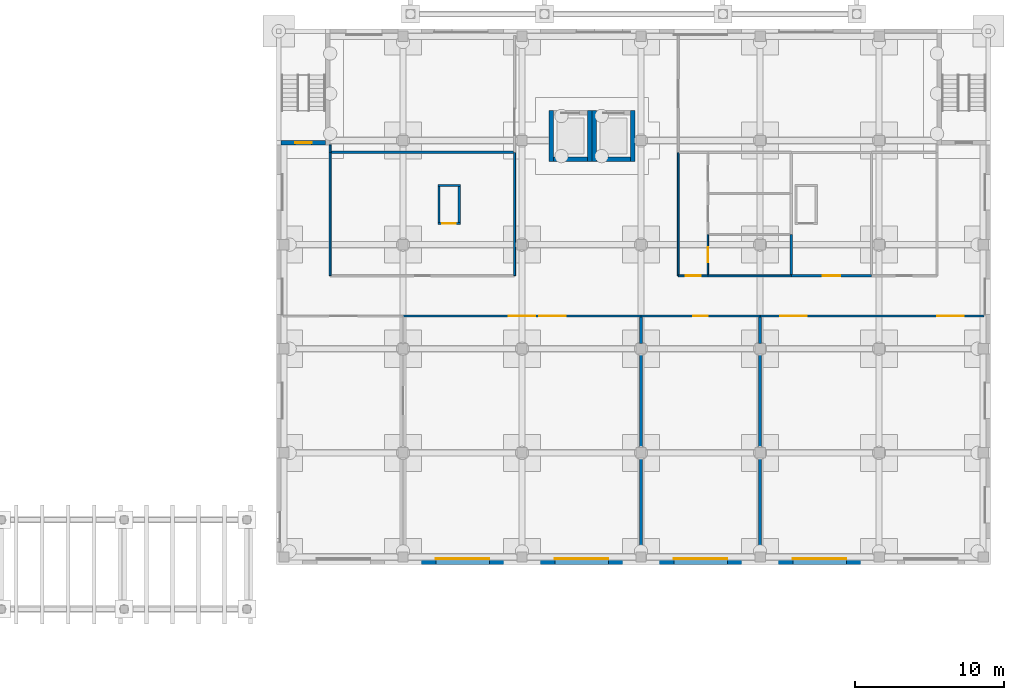
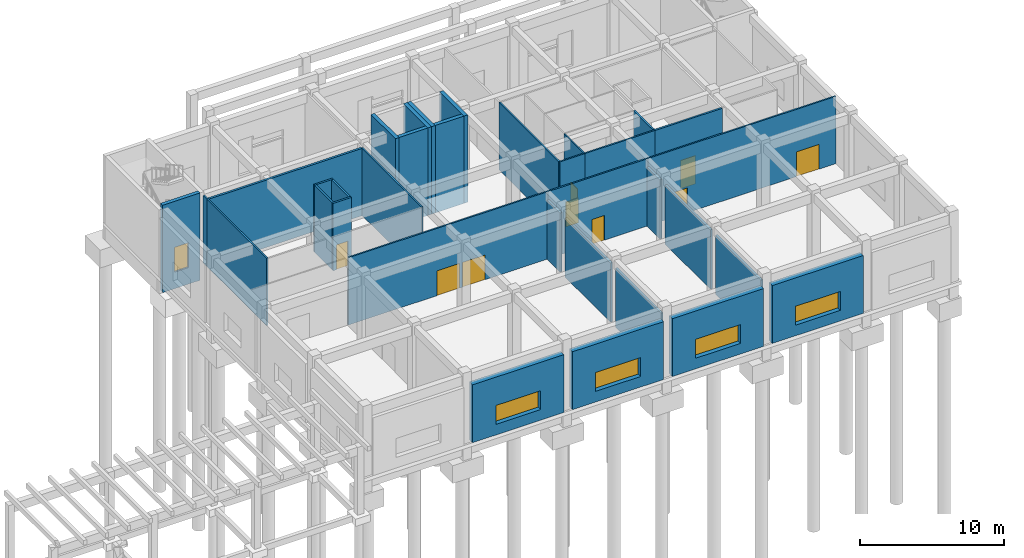
# One storey, part 41 of 51: 34 walls, 10 doors, 4 windows, 14 openings.
"""IFC4 building model written with IfcOpenShell, lengths in metres."""

from ifc_helpers import new_model, si_unit, direction, frame, frame_2d, origin, place, context, subcontext, project, spatial, rectangle, extrude, material, layer, layer_set, type_object, element, fill, save


model = new_model("IFC4")

# Units and contexts
model_context = context("Model", 3, precision=1e-05, world=origin(), true_north=direction((0.0, 1.0)))
body_context = subcontext(model_context, "Body", "Model", "MODEL_VIEW")
ifc_project = project(units=[si_unit("LENGTHUNIT", "METRE"), si_unit("AREAUNIT", "SQUARE_METRE"), si_unit("VOLUMEUNIT", "CUBIC_METRE"), si_unit("PLANEANGLEUNIT", "RADIAN"), si_unit("MASSUNIT", "GRAM", prefix="KILO")], contexts=[model_context])

# Site, building, storey
site_placement = place(None, origin())
site = spatial("IfcSite", under=ifc_project, at=site_placement, CompositionType="ELEMENT")
building_placement = place(site_placement, origin())
building = spatial("IfcBuilding", under=site, at=building_placement, Name="Elmora Arch Market Hall", CompositionType="ELEMENT")
storey_placement = place(building_placement, origin())
storey = spatial("IfcBuildingStorey", under=building, at=storey_placement, Name="L00", CompositionType="ELEMENT", Elevation=0.0)

# Wall, opening, door
ifc_material_1 = material(Name="Blockwork", Category="masonry")
ifc_layer_1 = layer(ifc_material_1, 0.14990234375)
ifc_layer_set_1 = layer_set([ifc_layer_1], Name="Blockwork")
wall_type_1 = type_object("IfcWallType", Name="Blockwork partition 150 EI 120", PredefinedType="PARTITIONING", material=ifc_layer_set_1)
wall_1_placement = place(storey_placement, frame((96.85009765625, 152.925048828125, 0.0), z_axis=(0.0, 0.0, 1.0), x_axis=(1.0, 0.0, 0.0)))
wall_1 = element("IfcWall", 1, at=wall_1_placement, inside=storey, type_object=wall_type_1, Name="Riser wall L00 35", PredefinedType="PARTITIONING", context=body_context, shape_type="SweptSolid", body=[
    extrude(rectangle(XDim=1.5, YDim=0.14990234375, at=frame_2d((0.75, 0.0))), origin(), (0.0, 0.0, 1.0), 5.699951171875),
])
opening_1_placement = place(wall_1_placement, frame((0.300048828125, 0.0, 0.0)))
opening_1 = element("IfcOpeningElement", 2, at=opening_1_placement, cuts=wall_1, Name="Opening D-L00-107", PredefinedType="OPENING", context=body_context, shape_type="SweptSolid", body=[
    extrude(rectangle(XDim=0.89990234375, YDim=2.10009765625, at=frame_2d((0.449951171875, 1.050048828125))), frame((0.0, 0.0849609375, 0.0), z_axis=(0.0, -1.0, 0.0), x_axis=(1.0, 0.0, 0.0)), (0.0, 0.0, 1.0), 0.169921875),
])
ifc_material_2 = material(Name="Steel ASTM A653 galvanised", Category="steel")
door_type_1 = type_object("IfcDoorType", Name="Door 900 x 2100 FD90", OperationType="SINGLE_SWING_LEFT", PredefinedType="DOOR", material=ifc_material_2)
door_1_placement = place(opening_1_placement, origin())
door_1 = element("IfcDoor", 3, at=door_1_placement, inside=storey, type_object=door_type_1, Name="Riser access door D-L00-107", OperationType="SINGLE_SWING_LEFT", OverallHeight=2.10009765625, OverallWidth=0.89990234375, PredefinedType="DOOR", context=body_context, shape_type="SweptSolid", body=[
    extrude(rectangle(XDim=0.89990234375, YDim=2.10009765625, at=frame_2d((0.449951171875, 1.050048828125))), frame((0.0, 0.02490234375, 0.0), z_axis=(0.0, -1.0, 0.0), x_axis=(1.0, 0.0, 0.0)), (0.0, 0.0, 1.0), 0.050048828125),
])
fill(opening_1, door_1)

# Walls
wall_2_placement = place(storey_placement, frame((96.925048828125, 153.0, 0.0), z_axis=(0.0, 0.0, 1.0), x_axis=(0.0, 1.0, 0.0)))
element("IfcWall", 4, at=wall_2_placement, inside=storey, type_object=wall_type_1, Name="Riser wall L00 36", PredefinedType="PARTITIONING", context=body_context, shape_type="SweptSolid", body=[
    extrude(rectangle(XDim=2.39990234375, YDim=0.14990234375, at=frame_2d((1.199951171875, 0.0))), origin(), (0.0, 0.0, 1.0), 5.699951171875),
])
wall_3_placement = place(storey_placement, frame((96.85009765625, 155.47509765625, 0.0), z_axis=(0.0, 0.0, 1.0), x_axis=(1.0, 0.0, 0.0)))
element("IfcWall", 5, at=wall_3_placement, inside=storey, type_object=wall_type_1, Name="Riser wall L00 37", PredefinedType="PARTITIONING", context=body_context, shape_type="SweptSolid", body=[
    extrude(rectangle(XDim=1.5, YDim=0.14990234375, at=frame_2d((0.75, 0.0))), origin(), (0.0, 0.0, 1.0), 5.699951171875),
])
wall_4_placement = place(storey_placement, frame((98.27490234375, 153.0, 0.0), z_axis=(0.0, 0.0, 1.0), x_axis=(0.0, 1.0, 0.0)))
element("IfcWall", 6, at=wall_4_placement, inside=storey, type_object=wall_type_1, Name="Riser wall L00 38", PredefinedType="PARTITIONING", context=body_context, shape_type="SweptSolid", body=[
    extrude(rectangle(XDim=2.39990234375, YDim=0.14990234375, at=frame_2d((1.199951171875, 0.0))), origin(), (0.0, 0.0, 1.0), 5.699951171875),
])

# Wall, opening, window
ifc_material_3 = material(Name="Concrete C40/50", Category="concrete")
ifc_layer_2 = layer(ifc_material_3, 0.449951171875)
ifc_layer_set_2 = layer_set([ifc_layer_2], Name="Concrete C40/50")
wall_type_2 = type_object("IfcWallType", Name="Board-marked concrete wall 450", PredefinedType="SOLIDWALL", material=ifc_layer_set_2)
wall_5_placement = place(storey_placement, frame((102.14990234375, 130.22509765625, 0.0), z_axis=(0.0, 0.0, 1.0), x_axis=(-1.0, 0.0, 0.0)))
wall_5 = element("IfcWall", 7, at=wall_5_placement, inside=storey, type_object=wall_type_2, Name="School facade wall S L00 2", PredefinedType="SOLIDWALL", context=body_context, shape_type="SweptSolid", body=[
    extrude(rectangle(XDim=7.2998046875, YDim=0.449951171875, at=frame_2d((3.64990234375, 0.0))), origin(), (0.0, 0.0, 1.0), 4.89990234375),
])
opening_2_placement = place(wall_5_placement, frame((1.85009765625, 0.0, 0.89990234375)))
opening_2 = element("IfcOpeningElement", 8, at=opening_2_placement, cuts=wall_5, Name="Opening WB1", PredefinedType="OPENING", context=body_context, shape_type="SweptSolid", body=[
    extrude(rectangle(XDim=3.60009765625, YDim=1.60009765625, at=frame_2d((1.800048828125, 0.800048828125))), frame((0.0, 0.23486328125, 0.0), z_axis=(0.0, -1.0, 0.0), x_axis=(1.0, 0.0, 0.0)), (0.0, 0.0, 1.0), 0.469970703125),
])
ifc_material_4 = material(Name="Aluminium", Category="aluminium")
window_type = type_object("IfcWindowType", Name="School band window 3600x1600", PartitioningType="SINGLE_PANEL", PredefinedType="WINDOW", material=ifc_material_4)
window_1_placement = place(opening_2_placement, origin())
window_1 = element("IfcWindow", 9, at=window_1_placement, inside=storey, type_object=window_type, Name="Window WB1 L00 S67", OverallHeight=1.60009765625, OverallWidth=3.60009765625, PartitioningType="SINGLE_PANEL", PredefinedType="WINDOW", context=body_context, shape_type="SweptSolid", body=[
    extrude(rectangle(XDim=3.60009765625, YDim=1.60009765625, at=frame_2d((1.800048828125, 0.800048828125))), frame((0.0, -0.125, 0.0), z_axis=(0.0, -1.0, 0.0), x_axis=(1.0, 0.0, 0.0)), (0.0, 0.0, 1.0), 0.06005859375),
])
fill(opening_2, window_1)

wall_6_placement = place(storey_placement, frame((110.14990234375, 130.22509765625, 0.0), z_axis=(0.0, 0.0, 1.0), x_axis=(-1.0, 0.0, 0.0)))
wall_6 = element("IfcWall", 10, at=wall_6_placement, inside=storey, type_object=wall_type_2, Name="School facade wall S L00 3", PredefinedType="SOLIDWALL", context=body_context, shape_type="SweptSolid", body=[
    extrude(rectangle(XDim=7.2998046875, YDim=0.449951171875, at=frame_2d((3.64990234375, 0.0))), origin(), (0.0, 0.0, 1.0), 4.89990234375),
])
opening_3_placement = place(wall_6_placement, frame((1.85009765625, 0.0, 0.89990234375)))
opening_3 = element("IfcOpeningElement", 11, at=opening_3_placement, cuts=wall_6, Name="Opening WB1", PredefinedType="OPENING", context=body_context, shape_type="SweptSolid", body=[
    extrude(rectangle(XDim=3.60009765625, YDim=1.60009765625, at=frame_2d((1.800048828125, 0.800048828125))), frame((0.0, 0.23486328125, 0.0), z_axis=(0.0, -1.0, 0.0), x_axis=(1.0, 0.0, 0.0)), (0.0, 0.0, 1.0), 0.469970703125),
])
window_2_placement = place(opening_3_placement, origin())
window_2 = element("IfcWindow", 12, at=window_2_placement, inside=storey, type_object=window_type, Name="Window WB1 L00 S68", OverallHeight=1.60009765625, OverallWidth=3.60009765625, PartitioningType="SINGLE_PANEL", PredefinedType="WINDOW", context=body_context, shape_type="SweptSolid", body=[
    extrude(rectangle(XDim=3.60009765625, YDim=1.60009765625, at=frame_2d((1.800048828125, 0.800048828125))), frame((0.0, -0.125, 0.0), z_axis=(0.0, -1.0, 0.0), x_axis=(1.0, 0.0, 0.0)), (0.0, 0.0, 1.0), 0.06005859375),
])
fill(opening_3, window_2)

wall_7_placement = place(storey_placement, frame((118.14990234375, 130.22509765625, 0.0), z_axis=(0.0, 0.0, 1.0), x_axis=(-1.0, 0.0, 0.0)))
wall_7 = element("IfcWall", 13, at=wall_7_placement, inside=storey, type_object=wall_type_2, Name="School facade wall S L00 4", PredefinedType="SOLIDWALL", context=body_context, shape_type="SweptSolid", body=[
    extrude(rectangle(XDim=7.2998046875, YDim=0.449951171875, at=frame_2d((3.64990234375, 0.0))), origin(), (0.0, 0.0, 1.0), 4.89990234375),
])
opening_4_placement = place(wall_7_placement, frame((1.85009765625, 0.0, 0.89990234375)))
opening_4 = element("IfcOpeningElement", 14, at=opening_4_placement, cuts=wall_7, Name="Opening WB1", PredefinedType="OPENING", context=body_context, shape_type="SweptSolid", body=[
    extrude(rectangle(XDim=3.60009765625, YDim=1.60009765625, at=frame_2d((1.800048828125, 0.800048828125))), frame((0.0, 0.23486328125, 0.0), z_axis=(0.0, -1.0, 0.0), x_axis=(1.0, 0.0, 0.0)), (0.0, 0.0, 1.0), 0.469970703125),
])
window_3_placement = place(opening_4_placement, origin())
window_3 = element("IfcWindow", 15, at=window_3_placement, inside=storey, type_object=window_type, Name="Window WB1 L00 S69", OverallHeight=1.60009765625, OverallWidth=3.60009765625, PartitioningType="SINGLE_PANEL", PredefinedType="WINDOW", context=body_context, shape_type="SweptSolid", body=[
    extrude(rectangle(XDim=3.60009765625, YDim=1.60009765625, at=frame_2d((1.800048828125, 0.800048828125))), frame((0.0, -0.125, 0.0), z_axis=(0.0, -1.0, 0.0), x_axis=(1.0, 0.0, 0.0)), (0.0, 0.0, 1.0), 0.06005859375),
])
fill(opening_4, window_3)

wall_8_placement = place(storey_placement, frame((126.14990234375, 130.22509765625, 0.0), z_axis=(0.0, 0.0, 1.0), x_axis=(-1.0, 0.0, 0.0)))
wall_8 = element("IfcWall", 16, at=wall_8_placement, inside=storey, type_object=wall_type_2, Name="School facade wall S L00 5", PredefinedType="SOLIDWALL", context=body_context, shape_type="SweptSolid", body=[
    extrude(rectangle(XDim=7.2998046875, YDim=0.449951171875, at=frame_2d((3.64990234375, 0.0))), origin(), (0.0, 0.0, 1.0), 4.89990234375),
])
opening_5_placement = place(wall_8_placement, frame((1.85009765625, 0.0, 0.89990234375)))
opening_5 = element("IfcOpeningElement", 17, at=opening_5_placement, cuts=wall_8, Name="Opening WB1", PredefinedType="OPENING", context=body_context, shape_type="SweptSolid", body=[
    extrude(rectangle(XDim=3.60009765625, YDim=1.60009765625, at=frame_2d((1.800048828125, 0.800048828125))), frame((0.0, 0.23486328125, 0.0), z_axis=(0.0, -1.0, 0.0), x_axis=(1.0, 0.0, 0.0)), (0.0, 0.0, 1.0), 0.469970703125),
])
window_4_placement = place(opening_5_placement, origin())
window_4 = element("IfcWindow", 18, at=window_4_placement, inside=storey, type_object=window_type, Name="Window WB1 L00 S70", OverallHeight=1.60009765625, OverallWidth=3.60009765625, PartitioningType="SINGLE_PANEL", PredefinedType="WINDOW", context=body_context, shape_type="SweptSolid", body=[
    extrude(rectangle(XDim=3.60009765625, YDim=1.60009765625, at=frame_2d((1.800048828125, 0.800048828125))), frame((0.0, -0.125, 0.0), z_axis=(0.0, -1.0, 0.0), x_axis=(1.0, 0.0, 0.0)), (0.0, 0.0, 1.0), 0.06005859375),
])
fill(opening_5, window_4)

# Wall, opening, door
ifc_material_5 = material(Name="Insulated metal panel")
ifc_layer_3 = layer(ifc_material_5, 0.14990234375)
ifc_layer_set_3 = layer_set([ifc_layer_3], Name="Insulated metal panel")
wall_type_3 = type_object("IfcWallType", Name="Cold store panel 150 EI 60", PredefinedType="PARTITIONING", material=ifc_layer_set_3)
wall_9_placement = place(storey_placement, frame((120.60009765625, 149.39990234375, 0.0), z_axis=(0.0, 0.0, 1.0), x_axis=(1.0, 0.0, 0.0)))
wall_9 = element("IfcWall", 19, at=wall_9_placement, inside=storey, type_object=wall_type_3, Name="Partition PT-L00-121", PredefinedType="PARTITIONING", context=body_context, shape_type="SweptSolid", body=[
    extrude(rectangle(XDim=5.39990234375, YDim=0.14990234375, at=frame_2d((2.699951171875, 0.0))), origin(), (0.0, 0.0, 1.0), 5.699951171875),
])
opening_6_placement = place(wall_9_placement, frame((2.10009765625, 0.0, 0.0)))
opening_6 = element("IfcOpeningElement", 20, at=opening_6_placement, cuts=wall_9, Name="Opening D-L00-104", PredefinedType="OPENING", context=body_context, shape_type="SweptSolid", body=[
    extrude(rectangle(XDim=1.199951171875, YDim=2.39990234375, at=frame_2d((0.60009765625, 1.199951171875))), frame((0.0, 0.0849609375, 0.0), z_axis=(0.0, -1.0, 0.0), x_axis=(1.0, 0.0, 0.0)), (0.0, 0.0, 1.0), 0.169921875),
])
ifc_material_6 = material(Name="Insulated door panel")
door_type_2 = type_object("IfcDoorType", Name="Cold store door 1200 x 2400 FD45", OperationType="SLIDING_TO_LEFT", PredefinedType="DOOR", material=ifc_material_6)
door_2_placement = place(opening_6_placement, origin())
door_2 = element("IfcDoor", 21, at=door_2_placement, inside=storey, type_object=door_type_2, Name="D-L00-104", OperationType="SLIDING_TO_LEFT", OverallHeight=2.39990234375, OverallWidth=1.199951171875, PredefinedType="DOOR", context=body_context, shape_type="SweptSolid", body=[
    extrude(rectangle(XDim=1.199951171875, YDim=2.39990234375, at=frame_2d((0.60009765625, 1.199951171875))), frame((0.0, 0.02490234375, 0.0), z_axis=(0.0, -1.0, 0.0), x_axis=(1.0, 0.0, 0.0)), (0.0, 0.0, 1.0), 0.050048828125),
])
fill(opening_6, door_2)

# Walls
wall_10_placement = place(storey_placement, frame((120.60009765625, 149.47509765625, 0.0), z_axis=(0.0, 0.0, 1.0), x_axis=(0.0, 1.0, 0.0)))
element("IfcWall", 22, at=wall_10_placement, inside=storey, type_object=wall_type_3, Name="Partition PT-L00-255", PredefinedType="PARTITIONING", context=body_context, shape_type="SweptSolid", body=[
    extrude(rectangle(XDim=2.691650390625, YDim=0.14990234375, at=frame_2d((1.345703125, 0.0))), origin(), (0.0, 0.0, 1.0), 5.699951171875),
])
ifc_material_7 = material(Name="Concrete C40/50", Category="concrete")
ifc_layer_4 = layer(ifc_material_7, 0.300048828125)
ifc_layer_set_4 = layer_set([ifc_layer_4], Name="Concrete C40/50")
wall_type_4 = type_object("IfcWallType", Name="Lift shaft wall 300", PredefinedType="SHEAR", material=ifc_layer_set_4)
for number, where, z_axis, x_axis, name in (
    (23, (104.449951171875, 157.10009765625, -1.39990234375), (0.0, 0.0, 1.0), (0.0, 1.0, 0.0), "Lift shaft wall SL1 W L00"),
    (24, (107.050048828125, 157.10009765625, -1.39990234375), (0.0, 0.0, 1.0), (0.0, 1.0, 0.0), "Lift shaft wall SL1 E L00"),
):
    element("IfcWall", number, at=place(storey_placement, frame(where, z_axis=z_axis, x_axis=x_axis)), inside=storey, type_object=wall_type_4, Name=name, PredefinedType="SHEAR", context=body_context, shape_type="SweptSolid", body=[
        extrude(rectangle(XDim=3.39990234375, YDim=0.300048828125, at=frame_2d((1.699951171875, 0.0))), origin(), (0.0, 0.0, 1.0), 7.39990234375),
    ])
wall_11_placement = place(storey_placement, frame((104.60009765625, 157.25, -1.39990234375), z_axis=(0.0, 0.0, 1.0), x_axis=(1.0, 0.0, 0.0)))
element("IfcWall", 25, at=wall_11_placement, inside=storey, type_object=wall_type_4, Name="Lift shaft wall SL1 S L00", PredefinedType="SHEAR", context=body_context, shape_type="SweptSolid", body=[
    extrude(rectangle(XDim=2.2998046875, YDim=0.300048828125, at=frame_2d((1.14990234375, 0.0))), origin(), (0.0, 0.0, 1.0), 7.39990234375),
])
for number, where, z_axis, x_axis, name in (
    (26, (107.35009765625, 157.10009765625, -1.39990234375), (0.0, 0.0, 1.0), (0.0, 1.0, 0.0), "Lift shaft wall SL2 W L00"),
    (27, (109.949951171875, 157.10009765625, -1.39990234375), (0.0, 0.0, 1.0), (0.0, 1.0, 0.0), "Lift shaft wall SL2 E L00"),
):
    element("IfcWall", number, at=place(storey_placement, frame(where, z_axis=z_axis, x_axis=x_axis)), inside=storey, type_object=wall_type_4, Name=name, PredefinedType="SHEAR", context=body_context, shape_type="SweptSolid", body=[
        extrude(rectangle(XDim=3.39990234375, YDim=0.300048828125, at=frame_2d((1.699951171875, 0.0))), origin(), (0.0, 0.0, 1.0), 7.39990234375),
    ])
wall_12_placement = place(storey_placement, frame((107.5, 157.25, -1.39990234375), z_axis=(0.0, 0.0, 1.0), x_axis=(1.0, 0.0, 0.0)))
element("IfcWall", 28, at=wall_12_placement, inside=storey, type_object=wall_type_4, Name="Lift shaft wall SL2 S L00", PredefinedType="SHEAR", context=body_context, shape_type="SweptSolid", body=[
    extrude(rectangle(XDim=2.300048828125, YDim=0.300048828125, at=frame_2d((1.14990234375, 0.0))), origin(), (0.0, 0.0, 1.0), 7.39990234375),
])

# Wall, opening, door
ifc_material_8 = material(Name="Gypsum board on metal studs")
ifc_layer_5 = layer(ifc_material_8, 0.10009765625)
ifc_layer_set_5 = layer_set([ifc_layer_5], Name="Gypsum board on metal studs")
wall_type_5 = type_object("IfcWallType", Name="Partition 100", PredefinedType="PARTITIONING", material=ifc_layer_set_5)
wall_13_placement = place(storey_placement, frame((115.0, 149.46240234375, 0.0), z_axis=(0.0, 0.0, 1.0), x_axis=(0.0, 1.0, 0.0)))
wall_13 = element("IfcWall", 29, at=wall_13_placement, inside=storey, type_object=wall_type_5, Name="Partition PT-L00-251", PredefinedType="PARTITIONING", context=body_context, shape_type="SweptSolid", body=[
    extrude(rectangle(XDim=2.704345703125, YDim=0.10009765625, at=frame_2d((1.35205078125, 0.0))), origin(), (0.0, 0.0, 1.0), 5.699951171875),
])
opening_7_placement = place(wall_13_placement, frame((0.85009765625, 0.0, 0.0)))
opening_7 = element("IfcOpeningElement", 30, at=opening_7_placement, cuts=wall_13, Name="Opening D-L00-106", PredefinedType="OPENING", context=body_context, shape_type="SweptSolid", body=[
    extrude(rectangle(XDim=1.0, YDim=2.10009765625, at=frame_2d((0.5, 1.050048828125))), frame((0.0, 0.06005859375, 0.0), z_axis=(0.0, -1.0, 0.0), x_axis=(1.0, 0.0, 0.0)), (0.0, 0.0, 1.0), 0.1201171875),
])
ifc_material_9 = material(Name="Timber door set", Category="wood")
door_type_3 = type_object("IfcDoorType", Name="Door 1000 x 2100", OperationType="SINGLE_SWING_LEFT", PredefinedType="DOOR", material=ifc_material_9)
door_3_placement = place(opening_7_placement, frame((1.0, 0.0, 0.0), z_axis=(0.0, 0.0, 1.0), x_axis=(-1.0, 0.0, 0.0)))
door_3 = element("IfcDoor", 31, at=door_3_placement, inside=storey, type_object=door_type_3, Name="D-L00-106", OperationType="SINGLE_SWING_LEFT", OverallHeight=2.10009765625, OverallWidth=1.0, PredefinedType="DOOR", context=body_context, shape_type="SweptSolid", body=[
    extrude(rectangle(XDim=1.0, YDim=2.10009765625, at=frame_2d((0.5, 1.050048828125))), frame((0.0, 0.02490234375, 0.0), z_axis=(0.0, -1.0, 0.0), x_axis=(1.0, 0.0, 0.0)), (0.0, 0.0, 1.0), 0.050048828125),
])
fill(opening_7, door_3)

# Wall, openings, doors
ifc_material_10 = material(Name="Gypsum board on metal studs")
ifc_layer_6 = layer(ifc_material_10, 0.125)
ifc_layer_set_6 = layer_set([ifc_layer_6], Name="Gypsum board on metal studs")
wall_type_6 = type_object("IfcWallType", Name="Partition 125 EI 60", PredefinedType="PARTITIONING", material=ifc_layer_set_6)
wall_14_placement = place(storey_placement, frame((94.5, 146.699951171875, 0.0), z_axis=(0.0, 0.0, 1.0), x_axis=(1.0, 0.0, 0.0)))
wall_14 = element("IfcWall", 32, at=wall_14_placement, inside=storey, type_object=wall_type_6, Name="Partition PT-L00-115", PredefinedType="PARTITIONING", context=body_context, shape_type="SweptSolid", body=[
    extrude(rectangle(XDim=16.0, YDim=0.125, at=frame_2d((8.0, 0.0))), origin(), (0.0, 0.0, 1.0), 5.699951171875),
])
opening_8_placement = place(wall_14_placement, frame((7.10009765625, 0.0, 0.0)))
opening_8 = element("IfcOpeningElement", 33, at=opening_8_placement, cuts=wall_14, Name="Opening D-L00-097", PredefinedType="OPENING", context=body_context, shape_type="SweptSolid", body=[
    extrude(rectangle(XDim=1.800048828125, YDim=2.10009765625, at=frame_2d((0.89990234375, 1.050048828125))), frame((0.0, 0.072509765625, 0.0), z_axis=(0.0, -1.0, 0.0), x_axis=(1.0, 0.0, 0.0)), (0.0, 0.0, 1.0), 0.14501953125),
])
opening_9_placement = place(wall_14_placement, frame((9.14990234375, 0.0, 0.0)))
opening_9 = element("IfcOpeningElement", 34, at=opening_9_placement, cuts=wall_14, Name="Opening D-L00-098", PredefinedType="OPENING", context=body_context, shape_type="SweptSolid", body=[
    extrude(rectangle(XDim=1.800048828125, YDim=2.10009765625, at=frame_2d((0.89990234375, 1.050048828125))), frame((0.0, 0.072509765625, 0.0), z_axis=(0.0, -1.0, 0.0), x_axis=(1.0, 0.0, 0.0)), (0.0, 0.0, 1.0), 0.14501953125),
])
ifc_material_11 = material(Name="Steel ASTM A653 galvanised", Category="steel")
door_type_4 = type_object("IfcDoorType", Name="Double door 1800 x 2100 FD20", OperationType="DOUBLE_DOOR_SINGLE_SWING", PredefinedType="DOOR", material=ifc_material_11)
door_4_placement = place(opening_8_placement, frame((1.800048828125, 0.0, 0.0), z_axis=(0.0, 0.0, 1.0), x_axis=(-1.0, 0.0, 0.0)))
door_4 = element("IfcDoor", 35, at=door_4_placement, inside=storey, type_object=door_type_4, Name="D-L00-097", OperationType="DOUBLE_DOOR_SINGLE_SWING", OverallHeight=2.10009765625, OverallWidth=1.800048828125, PredefinedType="DOOR", context=body_context, shape_type="SweptSolid", body=[
    extrude(rectangle(XDim=1.800048828125, YDim=2.10009765625, at=frame_2d((0.89990234375, 1.050048828125))), frame((0.0, 0.02490234375, 0.0), z_axis=(0.0, -1.0, 0.0), x_axis=(1.0, 0.0, 0.0)), (0.0, 0.0, 1.0), 0.050048828125),
])
fill(opening_8, door_4)
door_5_placement = place(opening_9_placement, frame((1.800048828125, 0.0, 0.0), z_axis=(0.0, 0.0, 1.0), x_axis=(-1.0, 0.0, 0.0)))
door_5 = element("IfcDoor", 36, at=door_5_placement, inside=storey, type_object=door_type_4, Name="D-L00-098", OperationType="DOUBLE_DOOR_SINGLE_SWING", OverallHeight=2.10009765625, OverallWidth=1.800048828125, PredefinedType="DOOR", context=body_context, shape_type="SweptSolid", body=[
    extrude(rectangle(XDim=1.800048828125, YDim=2.10009765625, at=frame_2d((0.89990234375, 1.050048828125))), frame((0.0, 0.02490234375, 0.0), z_axis=(0.0, -1.0, 0.0), x_axis=(1.0, 0.0, 0.0)), (0.0, 0.0, 1.0), 0.050048828125),
])
fill(opening_9, door_5)

# Wall, opening, door
wall_15_placement = place(storey_placement, frame((110.5, 146.699951171875, 0.0), z_axis=(0.0, 0.0, 1.0), x_axis=(1.0, 0.0, 0.0)))
wall_15 = element("IfcWall", 37, at=wall_15_placement, inside=storey, type_object=wall_type_6, Name="Partition PT-L00-116", PredefinedType="PARTITIONING", context=body_context, shape_type="SweptSolid", body=[
    extrude(rectangle(XDim=8.0, YDim=0.125, at=frame_2d((4.0, 0.0))), origin(), (0.0, 0.0, 1.0), 5.699951171875),
])
opening_10_placement = place(wall_15_placement, frame((3.5, 0.0, 0.0)))
opening_10 = element("IfcOpeningElement", 38, at=opening_10_placement, cuts=wall_15, Name="Opening D-L00-099", PredefinedType="OPENING", context=body_context, shape_type="SweptSolid", body=[
    extrude(rectangle(XDim=1.0, YDim=2.10009765625, at=frame_2d((0.5, 1.050048828125))), frame((0.0, 0.072509765625, 0.0), z_axis=(0.0, -1.0, 0.0), x_axis=(1.0, 0.0, 0.0)), (0.0, 0.0, 1.0), 0.14501953125),
])
ifc_material_12 = material(Name="Steel ASTM A653 galvanised", Category="steel")
door_type_5 = type_object("IfcDoorType", Name="Door 1000 x 2100 FD45", OperationType="SINGLE_SWING_LEFT", PredefinedType="DOOR", material=ifc_material_12)
door_6_placement = place(opening_10_placement, frame((1.0, 0.0, 0.0), z_axis=(0.0, 0.0, 1.0), x_axis=(-1.0, 0.0, 0.0)))
door_6 = element("IfcDoor", 39, at=door_6_placement, inside=storey, type_object=door_type_5, Name="D-L00-099", OperationType="SINGLE_SWING_RIGHT", OverallHeight=2.10009765625, OverallWidth=1.0, PredefinedType="DOOR", context=body_context, shape_type="SweptSolid", body=[
    extrude(rectangle(XDim=1.0, YDim=2.10009765625, at=frame_2d((0.5, 1.050048828125))), frame((0.0, 0.02490234375, 0.0), z_axis=(0.0, -1.0, 0.0), x_axis=(1.0, 0.0, 0.0)), (0.0, 0.0, 1.0), 0.050048828125),
])
fill(opening_10, door_6)

# Wall, openings, doors
wall_16_placement = place(storey_placement, frame((118.5, 146.699951171875, 0.0), z_axis=(0.0, 0.0, 1.0), x_axis=(1.0, 0.0, 0.0)))
wall_16 = element("IfcWall", 40, at=wall_16_placement, inside=storey, type_object=wall_type_6, Name="Partition PT-L00-117", PredefinedType="PARTITIONING", context=body_context, shape_type="SweptSolid", body=[
    extrude(rectangle(XDim=15.050048828125, YDim=0.125, at=frame_2d((7.52490234375, 0.0))), origin(), (0.0, 0.0, 1.0), 5.699951171875),
])
opening_11_placement = place(wall_16_placement, frame((1.35009765625, 0.0, 0.0)))
opening_11 = element("IfcOpeningElement", 41, at=opening_11_placement, cuts=wall_16, Name="Opening D-L00-100", PredefinedType="OPENING", context=body_context, shape_type="SweptSolid", body=[
    extrude(rectangle(XDim=1.800048828125, YDim=2.10009765625, at=frame_2d((0.89990234375, 1.050048828125))), frame((0.0, 0.072509765625, 0.0), z_axis=(0.0, -1.0, 0.0), x_axis=(1.0, 0.0, 0.0)), (0.0, 0.0, 1.0), 0.14501953125),
])
opening_12_placement = place(wall_16_placement, frame((11.89990234375, 0.0, 0.0)))
opening_12 = element("IfcOpeningElement", 42, at=opening_12_placement, cuts=wall_16, Name="Opening D-L00-101", PredefinedType="OPENING", context=body_context, shape_type="SweptSolid", body=[
    extrude(rectangle(XDim=1.800048828125, YDim=2.10009765625, at=frame_2d((0.89990234375, 1.050048828125))), frame((0.0, 0.072509765625, 0.0), z_axis=(0.0, -1.0, 0.0), x_axis=(1.0, 0.0, 0.0)), (0.0, 0.0, 1.0), 0.14501953125),
])
ifc_material_13 = material(Name="Steel ASTM A653 galvanised", Category="steel")
door_type_6 = type_object("IfcDoorType", Name="Double door 1800 x 2100 FD45", OperationType="DOUBLE_DOOR_SINGLE_SWING", PredefinedType="DOOR", material=ifc_material_13)
door_7_placement = place(opening_11_placement, frame((1.800048828125, 0.0, 0.0), z_axis=(0.0, 0.0, 1.0), x_axis=(-1.0, 0.0, 0.0)))
door_7 = element("IfcDoor", 43, at=door_7_placement, inside=storey, type_object=door_type_6, Name="D-L00-100", OperationType="DOUBLE_DOOR_SINGLE_SWING", OverallHeight=2.10009765625, OverallWidth=1.800048828125, PredefinedType="DOOR", context=body_context, shape_type="SweptSolid", body=[
    extrude(rectangle(XDim=1.800048828125, YDim=2.10009765625, at=frame_2d((0.89990234375, 1.050048828125))), frame((0.0, 0.02490234375, 0.0), z_axis=(0.0, -1.0, 0.0), x_axis=(1.0, 0.0, 0.0)), (0.0, 0.0, 1.0), 0.050048828125),
])
fill(opening_11, door_7)
door_8_placement = place(opening_12_placement, frame((1.800048828125, 0.0, 0.0), z_axis=(0.0, 0.0, 1.0), x_axis=(-1.0, 0.0, 0.0)))
door_8 = element("IfcDoor", 44, at=door_8_placement, inside=storey, type_object=door_type_6, Name="D-L00-101", OperationType="DOUBLE_DOOR_SINGLE_SWING", OverallHeight=2.10009765625, OverallWidth=1.800048828125, PredefinedType="DOOR", context=body_context, shape_type="SweptSolid", body=[
    extrude(rectangle(XDim=1.800048828125, YDim=2.10009765625, at=frame_2d((0.89990234375, 1.050048828125))), frame((0.0, 0.02490234375, 0.0), z_axis=(0.0, -1.0, 0.0), x_axis=(1.0, 0.0, 0.0)), (0.0, 0.0, 1.0), 0.050048828125),
])
fill(opening_12, door_8)

# Wall, opening, door
wall_17_placement = place(storey_placement, frame((113.010009765625, 149.39990234375, 0.0), z_axis=(0.0, 0.0, 1.0), x_axis=(1.0, 0.0, 0.0)))
wall_17 = element("IfcWall", 45, at=wall_17_placement, inside=storey, type_object=wall_type_6, Name="Partition PT-L00-119", PredefinedType="PARTITIONING", context=body_context, shape_type="SweptSolid", body=[
    extrude(rectangle(XDim=1.989990234375, YDim=0.125, at=frame_2d((0.9951171875, 0.0))), origin(), (0.0, 0.0, 1.0), 5.699951171875),
])
opening_13_placement = place(wall_17_placement, frame((0.5, 0.0, 0.0)))
opening_13 = element("IfcOpeningElement", 46, at=opening_13_placement, cuts=wall_17, Name="Opening D-L00-103", PredefinedType="OPENING", context=body_context, shape_type="SweptSolid", body=[
    extrude(rectangle(XDim=1.0, YDim=2.10009765625, at=frame_2d((0.5, 1.050048828125))), frame((0.0, 0.072509765625, 0.0), z_axis=(0.0, -1.0, 0.0), x_axis=(1.0, 0.0, 0.0)), (0.0, 0.0, 1.0), 0.14501953125),
])
ifc_material_14 = material(Name="Steel ASTM A653 galvanised", Category="steel")
door_type_7 = type_object("IfcDoorType", Name="Door 1000 x 2100 FD20", OperationType="SINGLE_SWING_LEFT", PredefinedType="DOOR", material=ifc_material_14)
door_9_placement = place(opening_13_placement, origin())
door_9 = element("IfcDoor", 47, at=door_9_placement, inside=storey, type_object=door_type_7, Name="D-L00-103", OperationType="SINGLE_SWING_RIGHT", OverallHeight=2.10009765625, OverallWidth=1.0, PredefinedType="DOOR", context=body_context, shape_type="SweptSolid", body=[
    extrude(rectangle(XDim=1.0, YDim=2.10009765625, at=frame_2d((0.5, 1.050048828125))), frame((0.0, 0.02490234375, 0.0), z_axis=(0.0, -1.0, 0.0), x_axis=(1.0, 0.0, 0.0)), (0.0, 0.0, 1.0), 0.050048828125),
])
fill(opening_13, door_9)

# Walls
wall_18_placement = place(storey_placement, frame((115.0, 149.39990234375, 0.0), z_axis=(0.0, 0.0, 1.0), x_axis=(1.0, 0.0, 0.0)))
element("IfcWall", 48, at=wall_18_placement, inside=storey, type_object=wall_type_6, Name="Partition PT-L00-120", PredefinedType="PARTITIONING", context=body_context, shape_type="SweptSolid", body=[
    extrude(rectangle(XDim=5.60009765625, YDim=0.125, at=frame_2d((2.800048828125, 0.0))), origin(), (0.0, 0.0, 1.0), 5.699951171875),
])
wall_19_placement = place(storey_placement, frame((89.60009765625, 149.409912109375, 0.0), z_axis=(0.0, 0.0, 1.0), x_axis=(0.0, 1.0, 0.0)))
element("IfcWall", 49, at=wall_19_placement, inside=storey, type_object=wall_type_6, Name="Partition PT-L00-243", PredefinedType="PARTITIONING", context=body_context, shape_type="SweptSolid", body=[
    extrude(rectangle(XDim=8.2900390625, YDim=0.125, at=frame_2d((4.14501953125, 0.0))), origin(), (0.0, 0.0, 1.0), 5.699951171875),
])
wall_20_placement = place(storey_placement, frame((89.60009765625, 157.699951171875, 0.0), z_axis=(0.0, 0.0, 1.0), x_axis=(0.0, 1.0, 0.0)))
element("IfcWall", 50, at=wall_20_placement, inside=storey, type_object=wall_type_6, Name="Partition PT-L00-244", PredefinedType="PARTITIONING", context=body_context, shape_type="SweptSolid", body=[
    extrude(rectangle(XDim=0.5, YDim=0.125, at=frame_2d((0.25, 0.0))), origin(), (0.0, 0.0, 1.0), 5.699951171875),
])
for number, where, z_axis, x_axis, name in (
    (51, (102.0, 149.409912109375, 0.0), (0.0, 0.0, 1.0), (0.0, 1.0, 0.0), "Partition PT-L00-246"),
    (52, (113.0, 149.409912109375, 0.0), (0.0, 0.0, 1.0), (0.0, 1.0, 0.0), "Partition PT-L00-249"),
):
    element("IfcWall", number, at=place(storey_placement, frame(where, z_axis=z_axis, x_axis=x_axis)), inside=storey, type_object=wall_type_6, Name=name, PredefinedType="PARTITIONING", context=body_context, shape_type="SweptSolid", body=[
        extrude(rectangle(XDim=8.2900390625, YDim=0.125, at=frame_2d((4.14501953125, 0.0))), origin(), (0.0, 0.0, 1.0), 5.699951171875),
    ])
ifc_material_15 = material(Name="Gypsum board on metal studs")
ifc_layer_7 = layer(ifc_material_15, 0.175048828125)
ifc_layer_set_7 = layer_set([ifc_layer_7], Name="Gypsum board on metal studs")
wall_type_7 = type_object("IfcWallType", Name="Partition 175 EI 60", PredefinedType="PARTITIONING", material=ifc_layer_set_7)
wall_21_placement = place(storey_placement, frame((89.66259765625, 157.699951171875, 0.0), z_axis=(0.0, 0.0, 1.0), x_axis=(1.0, 0.0, 0.0)))
element("IfcWall", 53, at=wall_21_placement, inside=storey, type_object=wall_type_7, Name="Partition PT-L00-125", PredefinedType="PARTITIONING", context=body_context, shape_type="SweptSolid", body=[
    extrude(rectangle(XDim=12.27490234375, YDim=0.175048828125, at=frame_2d((6.137451171875, 0.0))), origin(), (0.0, 0.0, 1.0), 5.699951171875),
])
for number, where, z_axis, x_axis, name in (
    (54, (110.5, 130.85009765625, 0.0), (0.0, 0.0, 1.0), (0.0, 1.0, 0.0), "Partition PT-L00-248-246"),
    (55, (110.5, 137.85009765625, 0.0), (0.0, 0.0, 1.0), (0.0, 1.0, 0.0), "Partition PT-L00-248-247"),
):
    element("IfcWall", number, at=place(storey_placement, frame(where, z_axis=z_axis, x_axis=x_axis)), inside=storey, type_object=wall_type_7, Name=name, PredefinedType="PARTITIONING", context=body_context, shape_type="SweptSolid", body=[
        extrude(rectangle(XDim=6.2998046875, YDim=0.175048828125, at=frame_2d((3.14990234375, 0.0))), origin(), (0.0, 0.0, 1.0), 5.0),
    ])
wall_22_placement = place(storey_placement, frame((110.5, 144.85009765625, 0.0), z_axis=(0.0, 0.0, 1.0), x_axis=(0.0, 1.0, 0.0)))
element("IfcWall", 56, at=wall_22_placement, inside=storey, type_object=wall_type_7, Name="Partition PT-L00-248-248", PredefinedType="PARTITIONING", context=body_context, shape_type="SweptSolid", body=[
    extrude(rectangle(XDim=1.787353515625, YDim=0.175048828125, at=frame_2d((0.8935546875, 0.0))), origin(), (0.0, 0.0, 1.0), 5.0),
])
for number, where, z_axis, x_axis, name in (
    (57, (118.5, 130.85009765625, 0.0), (0.0, 0.0, 1.0), (0.0, 1.0, 0.0), "Partition PT-L00-254-254"),
    (58, (118.5, 137.85009765625, 0.0), (0.0, 0.0, 1.0), (0.0, 1.0, 0.0), "Partition PT-L00-254-255"),
):
    element("IfcWall", number, at=place(storey_placement, frame(where, z_axis=z_axis, x_axis=x_axis)), inside=storey, type_object=wall_type_7, Name=name, PredefinedType="PARTITIONING", context=body_context, shape_type="SweptSolid", body=[
        extrude(rectangle(XDim=6.2998046875, YDim=0.175048828125, at=frame_2d((3.14990234375, 0.0))), origin(), (0.0, 0.0, 1.0), 5.0),
    ])
wall_23_placement = place(storey_placement, frame((118.5, 144.85009765625, 0.0), z_axis=(0.0, 0.0, 1.0), x_axis=(0.0, 1.0, 0.0)))
element("IfcWall", 59, at=wall_23_placement, inside=storey, type_object=wall_type_7, Name="Partition PT-L00-254-256", PredefinedType="PARTITIONING", context=body_context, shape_type="SweptSolid", body=[
    extrude(rectangle(XDim=1.787353515625, YDim=0.175048828125, at=frame_2d((0.8935546875, 0.0))), origin(), (0.0, 0.0, 1.0), 5.0),
])

# Wall, opening, door
ifc_material_16 = material(Name="Concrete C40/50", Category="concrete")
ifc_layer_8 = layer(ifc_material_16, 0.300048828125)
ifc_layer_set_8 = layer_set([ifc_layer_8], Name="Concrete C40/50")
wall_type_8 = type_object("IfcWallType", Name="Stair wall 300", PredefinedType="SHEAR", material=ifc_layer_set_8)
wall_24_placement = place(storey_placement, frame((86.300048828125, 158.35009765625, -1.39990234375), z_axis=(0.0, 0.0, 1.0), x_axis=(1.0, 0.0, 0.0)))
wall_24 = element("IfcWall", 60, at=wall_24_placement, inside=storey, type_object=wall_type_8, Name="Stair wall ST-SCW S L00", PredefinedType="SHEAR", context=body_context, shape_type="SweptSolid", body=[
    extrude(rectangle(XDim=3.0, YDim=0.300048828125, at=frame_2d((1.5, 0.0))), origin(), (0.0, 0.0, 1.0), 7.39990234375),
])
opening_14_placement = place(wall_24_placement, frame((0.949951171875, 0.0, 1.39990234375)))
opening_14 = element("IfcOpeningElement", 61, at=opening_14_placement, cuts=wall_24, Name="Opening ST-SCW-L00", PredefinedType="OPENING", context=body_context, shape_type="SweptSolid", body=[
    extrude(rectangle(XDim=1.10009765625, YDim=2.10009765625, at=frame_2d((0.550048828125, 1.050048828125))), frame((0.0, 0.159912109375, 0.0), z_axis=(0.0, -1.0, 0.0), x_axis=(1.0, 0.0, 0.0)), (0.0, 0.0, 1.0), 0.320068359375),
])
ifc_material_17 = material(Name="Steel ASTM A653 galvanised", Category="steel")
door_type_8 = type_object("IfcDoorType", Name="Stair door 1100 x 2100 FD90", OperationType="SINGLE_SWING_LEFT", PredefinedType="DOOR", material=ifc_material_17)
door_10_placement = place(opening_14_placement, origin())
door_10 = element("IfcDoor", 62, at=door_10_placement, inside=storey, type_object=door_type_8, Name="Stair door ST-SCW L00", OperationType="SINGLE_SWING_LEFT", OverallHeight=2.10009765625, OverallWidth=1.10009765625, PredefinedType="DOOR", context=body_context, shape_type="SweptSolid", body=[
    extrude(rectangle(XDim=1.10009765625, YDim=2.10009765625, at=frame_2d((0.550048828125, 1.050048828125))), frame((0.0, 0.02490234375, 0.0), z_axis=(0.0, -1.0, 0.0), x_axis=(1.0, 0.0, 0.0)), (0.0, 0.0, 1.0), 0.050048828125),
])
fill(opening_14, door_10)

save(model, "model.ifc")
